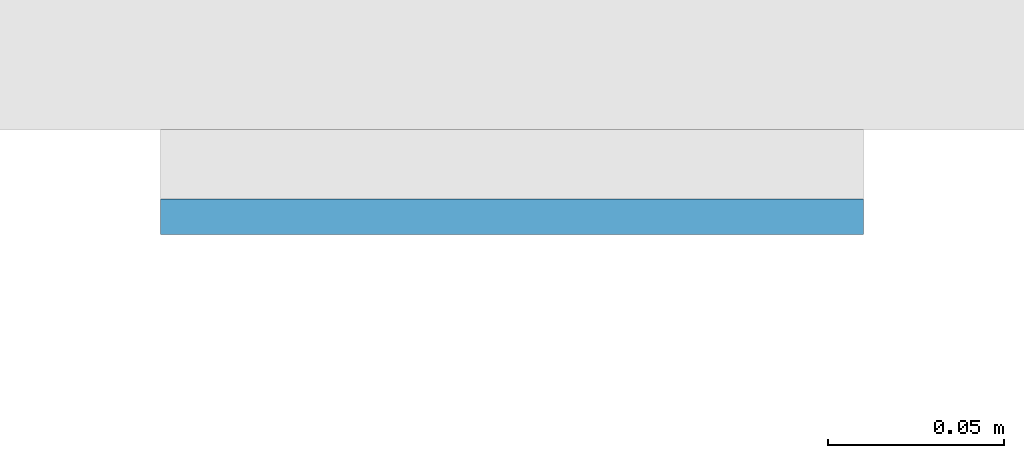
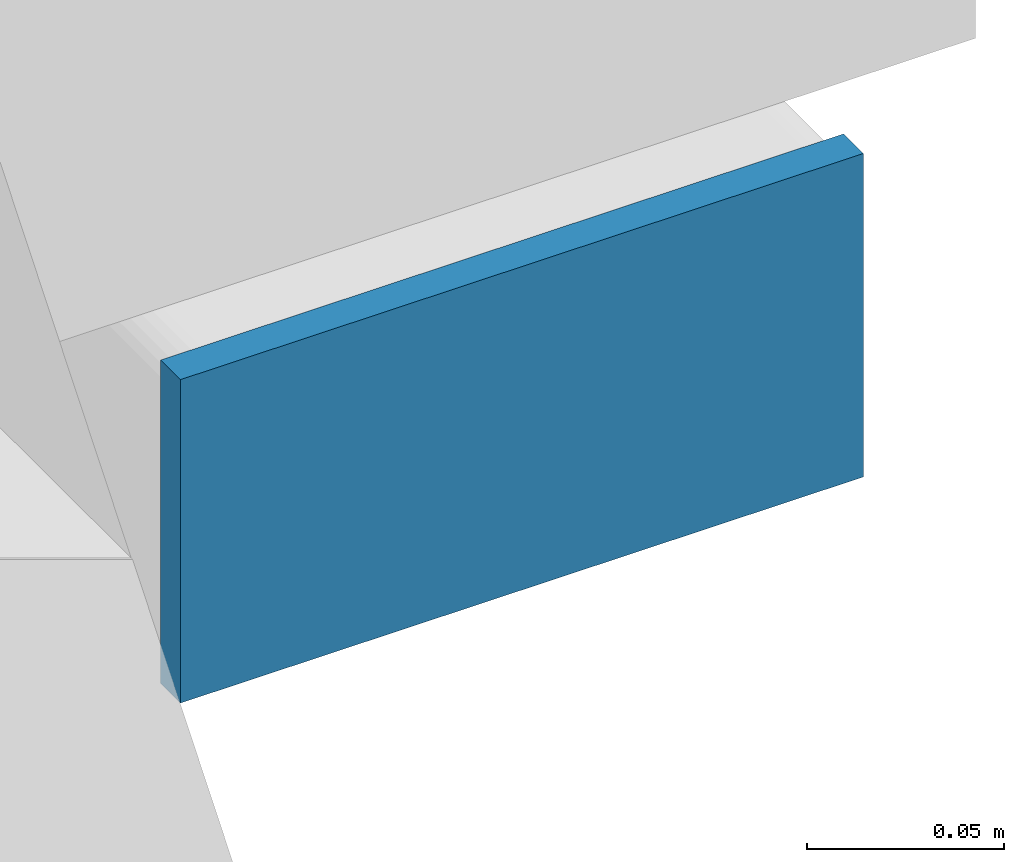
# One storey, part 10 of 20: 1 plate.
"""IFC4 building model written with IfcOpenShell, lengths in metres."""

from ifc_helpers import new_model, si_unit, direction, frame, origin, origin_2d, place, context, subcontext, project, spatial, rectangle, extrude, material, layer, layer_set, type_object, element, save


model = new_model("IFC4")

# Units and contexts
model_context = context("Model", 3, precision=1e-05, world=origin(), true_north=direction((0.0, 1.0)))
body_context = subcontext(model_context, "Body", "Model", "MODEL_VIEW")
ifc_project = project(units=[si_unit("LENGTHUNIT", "METRE"), si_unit("AREAUNIT", "SQUARE_METRE"), si_unit("VOLUMEUNIT", "CUBIC_METRE"), si_unit("PLANEANGLEUNIT", "RADIAN"), si_unit("MASSUNIT", "GRAM", prefix="KILO")], contexts=[model_context])

# Site, building, storey
site_placement = place(None, origin())
site = spatial("IfcSite", under=ifc_project, at=site_placement, CompositionType="ELEMENT")
building_placement = place(site_placement, origin())
building = spatial("IfcBuilding", under=site, at=building_placement, Name="Cleftline Residences", CompositionType="ELEMENT")
storey_placement = place(building_placement, frame((0.0, 0.0, 99.800048828125)))
storey = spatial("IfcBuildingStorey", under=building, at=storey_placement, Name="L25", CompositionType="ELEMENT", Elevation=99.800048828125)

# Plate
ifc_material = material(Name="Steel S355, hot-dip galvanised", Category="steel")
ifc_layer = layer(ifc_material, 0.010009765625)
ifc_layer_set = layer_set([ifc_layer], Name="BAGUETTE CARRIER END PLATE 200X100X10")
plate_type = type_object("IfcPlateType", Name="BAGUETTE CARRIER END PLATE 200X100X10", PredefinedType="USERDEFINED", material=ifc_layer_set)
plate_placement = place(storey_placement, frame((66.85009765625, 3.695068359375, -0.10009765625), z_axis=(0.0, 0.0, 1.0), x_axis=(1.0, 0.0, 0.0)))
element("IfcPlate", 1, at=plate_placement, inside=storey, type_object=plate_type, Name="Baguette carrier end plate", ObjectType="BAGUETTE CARRIER END PLATE", PredefinedType="USERDEFINED", context=body_context, shape_type="SweptSolid", body=[
    extrude(rectangle(XDim=0.199951171875, YDim=0.010009765625, at=origin_2d()), origin(), (0.0, 0.0, 1.0), 0.10009765625),
])

save(model, "model.ifc")
